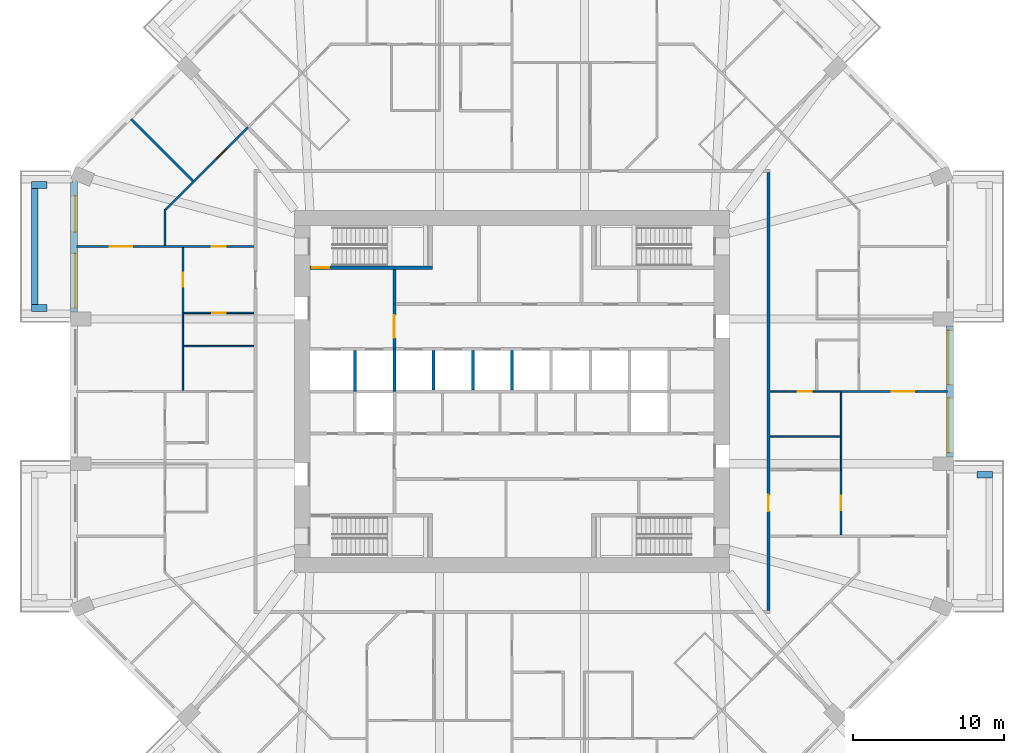
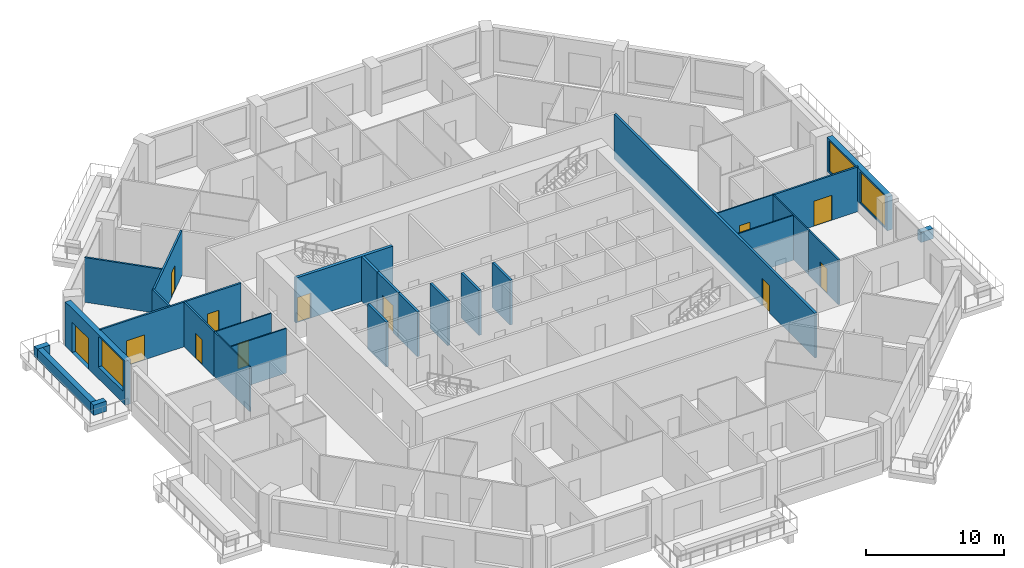
# One storey, part 7 of 13: 28 walls, 12 doors, 3 windows, 15 openings.
"""IFC4 building model written with IfcOpenShell, lengths in metres."""

from ifc_helpers import new_model, si_unit, direction, frame, frame_2d, origin, place, context, subcontext, project, spatial, rectangle, extrude, material, layer, layer_set, type_object, element, fill, save


model = new_model("IFC4")

# Units and contexts
model_context = context("Model", 3, precision=1e-05, world=origin(), true_north=direction((0.0, 1.0)))
body_context = subcontext(model_context, "Body", "Model", "MODEL_VIEW")
ifc_project = project(units=[si_unit("LENGTHUNIT", "METRE"), si_unit("AREAUNIT", "SQUARE_METRE"), si_unit("VOLUMEUNIT", "CUBIC_METRE"), si_unit("PLANEANGLEUNIT", "RADIAN"), si_unit("MASSUNIT", "GRAM", prefix="KILO")], contexts=[model_context])

# Site, building, storey
site_placement = place(None, origin())
site = spatial("IfcSite", under=ifc_project, at=site_placement, CompositionType="ELEMENT")
building_placement = place(site_placement, origin())
building = spatial("IfcBuilding", under=site, at=building_placement, Name="Msitu Wima Residences", CompositionType="ELEMENT")
storey_placement = place(building_placement, frame((0.0, 0.0, 25.5)))
storey = spatial("IfcBuildingStorey", under=building, at=storey_placement, Name="L05", CompositionType="ELEMENT", Elevation=25.5)

# Walls
ifc_material_1 = material(Name="Facing brick")
ifc_layer_1 = layer(ifc_material_1, 0.06494140625, Name="Facing brick")
ifc_material_2 = material(Name="Concrete C40/50", Category="concrete")
ifc_layer_2 = layer(ifc_material_2, 0.156005859375, Name="Concrete C40/50")
ifc_material_3 = material(Name="Waterproofing membrane")
ifc_layer_3 = layer(ifc_material_3, 0.00390625, Name="Waterproofing membrane")
ifc_material_4 = material(Name="Planting soil and planting")
ifc_layer_4 = layer(ifc_material_4, 0.22509765625, Name="Planting soil and planting")
ifc_layer_set_1 = layer_set([ifc_layer_1, ifc_layer_2, ifc_layer_3, ifc_layer_4], Name="Concrete C40/50")
wall_type_1 = type_object("IfcWallType", Name="Balcony planter PLANTER PL450", PredefinedType="USERDEFINED", material=ifc_layer_set_1)
wall_1_placement = place(storey_placement, frame((30.800048828125, -5.52490234375, 0.0), z_axis=(0.0, 0.0, 1.0), x_axis=(1.0, 0.0, 0.0)))
element("IfcWall", 1, at=wall_1_placement, inside=storey, type_object=wall_type_1, Name="Balcony planter E0 L05", ObjectType="PLANTER", PredefinedType="USERDEFINED", context=body_context, shape_type="SweptSolid", body=[
    extrude(rectangle(XDim=1.050048828125, YDim=0.449951171875, at=frame_2d((0.52490234375, 0.0))), origin(), (0.0, 0.0, 1.0), 0.89990234375),
])
wall_2_placement = place(storey_placement, frame((-31.625, 13.449951171875, 0.0), z_axis=(0.0, 0.0, 1.0), x_axis=(0.0, -1.0, 0.0)))
element("IfcWall", 2, at=wall_2_placement, inside=storey, type_object=wall_type_1, Name="Balcony planter W0 L05", ObjectType="PLANTER", PredefinedType="USERDEFINED", context=body_context, shape_type="SweptSolid", body=[
    extrude(rectangle(XDim=7.699951171875, YDim=0.449951171875, at=frame_2d((3.85009765625, 0.0))), origin(), (0.0, 0.0, 1.0), 0.89990234375),
])
for number, where, z_axis, x_axis, name in (
    (3, (-30.800048828125, 13.675048828125, 0.0), (0.0, 0.0, 1.0), (-1.0, 0.0, 0.0), "Balcony planter W0 L05"),
    (4, (-30.800048828125, 5.52490234375, 0.0), (0.0, 0.0, 1.0), (-1.0, 0.0, 0.0), "Balcony planter W0 L05"),
):
    element("IfcWall", number, at=place(storey_placement, frame(where, z_axis=z_axis, x_axis=x_axis)), inside=storey, type_object=wall_type_1, Name=name, ObjectType="PLANTER", PredefinedType="USERDEFINED", context=body_context, shape_type="SweptSolid", body=[
        extrude(rectangle(XDim=1.050048828125, YDim=0.449951171875, at=frame_2d((0.52490234375, 0.0))), origin(), (0.0, 0.0, 1.0), 0.89990234375),
    ])

# Wall, openings, windows
ifc_material_5 = material(Name="Brick (red buff mix)", Category="masonry")
ifc_layer_5 = layer(ifc_material_5, 0.449951171875)
ifc_layer_set_2 = layer_set([ifc_layer_5], Name="Brick (red buff mix)")
wall_type_2 = type_object("IfcWallType", Name="Brick infill wall BW450", PredefinedType="SOLIDWALL", material=ifc_layer_set_2)
wall_3_placement = place(storey_placement, frame((29.02490234375, -4.35009765625, 0.89990234375), z_axis=(0.0, 0.0, 1.0), x_axis=(0.0, 1.0, 0.0)))
wall_3 = element("IfcWall", 5, at=wall_3_placement, inside=storey, type_object=wall_type_2, Name="Brick infill wall L05 E1", PredefinedType="SOLIDWALL", context=body_context, shape_type="SweptSolid", body=[
    extrude(rectangle(XDim=8.7001953125, YDim=0.449951171875, at=frame_2d((4.35009765625, 0.0))), origin(), (0.0, 0.0, 1.0), 3.0),
])
opening_1_placement = place(wall_3_placement, frame((0.300048828125, 0.0, 0.14990234375)))
opening_1 = element("IfcOpeningElement", 6, at=opening_1_placement, cuts=wall_3, Name="Opening W05-07.002", PredefinedType="OPENING", context=body_context, shape_type="SweptSolid", body=[
    extrude(rectangle(XDim=3.60009765625, YDim=2.699951171875, at=frame_2d((1.800048828125, 1.35009765625))), frame((0.0, 0.23486328125, 0.0), z_axis=(0.0, -1.0, 0.0), x_axis=(1.0, 0.0, 0.0)), (0.0, 0.0, 1.0), 0.469970703125),
])
opening_2_placement = place(wall_3_placement, frame((4.800048828125, 0.0, 0.14990234375)))
opening_2 = element("IfcOpeningElement", 7, at=opening_2_placement, cuts=wall_3, Name="Opening W05-07.003", PredefinedType="OPENING", context=body_context, shape_type="SweptSolid", body=[
    extrude(rectangle(XDim=3.60009765625, YDim=2.699951171875, at=frame_2d((1.800048828125, 1.35009765625))), frame((0.0, 0.23486328125, 0.0), z_axis=(0.0, -1.0, 0.0), x_axis=(1.0, 0.0, 0.0)), (0.0, 0.0, 1.0), 0.469970703125),
])
ifc_material_6 = material(Name="Anodised aluminium, bronze finish, clear low-emissivity double glazing", Category="aluminium")
window_type = type_object("IfcWindowType", Name="Window W3600x2700", PartitioningType="DOUBLE_PANEL_VERTICAL", PredefinedType="WINDOW", material=ifc_material_6)
window_1_placement = place(opening_1_placement, origin())
window_1 = element("IfcWindow", 8, at=window_1_placement, inside=storey, type_object=window_type, Name="Window L05 E1.1", OverallHeight=2.699951171875, OverallWidth=3.60009765625, PartitioningType="SINGLE_PANEL", PredefinedType="WINDOW", context=body_context, shape_type="SweptSolid", body=[
    extrude(rectangle(XDim=3.60009765625, YDim=2.699951171875, at=frame_2d((1.800048828125, 1.35009765625))), frame((0.0, 0.135009765625, 0.0), z_axis=(0.0, -1.0, 0.0), x_axis=(1.0, 0.0, 0.0)), (0.0, 0.0, 1.0), 0.06005859375),
])
fill(opening_1, window_1)
window_2_placement = place(opening_2_placement, origin())
window_2 = element("IfcWindow", 9, at=window_2_placement, inside=storey, type_object=window_type, Name="Window L05 E1.2", OverallHeight=2.699951171875, OverallWidth=3.60009765625, PartitioningType="SINGLE_PANEL", PredefinedType="WINDOW", context=body_context, shape_type="SweptSolid", body=[
    extrude(rectangle(XDim=3.60009765625, YDim=2.699951171875, at=frame_2d((1.800048828125, 1.35009765625))), frame((0.0, 0.135009765625, 0.0), z_axis=(0.0, -1.0, 0.0), x_axis=(1.0, 0.0, 0.0)), (0.0, 0.0, 1.0), 0.06005859375),
])
fill(opening_2, window_2)

# Wall, openings, door, window
wall_4_placement = place(storey_placement, frame((-29.02490234375, 13.912841796875, 0.0), z_axis=(0.0, 0.0, 1.0), x_axis=(0.0, -1.0, 0.0)))
wall_4 = element("IfcWall", 10, at=wall_4_placement, inside=storey, type_object=wall_type_2, Name="Brick infill wall L05 W0", PredefinedType="SOLIDWALL", context=body_context, shape_type="SweptSolid", body=[
    extrude(rectangle(XDim=8.662841796875, YDim=0.449951171875, at=frame_2d((4.33154296875, 0.0))), origin(), (0.0, 0.0, 1.0), 3.89990234375),
])
opening_3_placement = place(wall_4_placement, frame((0.9658203125, 0.0, 0.0)))
opening_3 = element("IfcOpeningElement", 11, at=opening_3_placement, cuts=wall_4, Name="Opening D05-07.009", PredefinedType="OPENING", context=body_context, shape_type="SweptSolid", body=[
    extrude(rectangle(XDim=2.39990234375, YDim=2.699951171875, at=frame_2d((1.199951171875, 1.35009765625))), frame((0.0, 0.23486328125, 0.0), z_axis=(0.0, -1.0, 0.0), x_axis=(1.0, 0.0, 0.0)), (0.0, 0.0, 1.0), 0.469970703125),
])
opening_4_placement = place(wall_4_placement, frame((4.781494140625, 0.0, 1.050048828125)))
opening_4 = element("IfcOpeningElement", 12, at=opening_4_placement, cuts=wall_4, Name="Opening W05-07.027", PredefinedType="OPENING", context=body_context, shape_type="SweptSolid", body=[
    extrude(rectangle(XDim=3.60009765625, YDim=2.699951171875, at=frame_2d((1.800048828125, 1.35009765625))), frame((0.0, 0.23486328125, 0.0), z_axis=(0.0, -1.0, 0.0), x_axis=(1.0, 0.0, 0.0)), (0.0, 0.0, 1.0), 0.469970703125),
])
door_type_1 = type_object("IfcDoorType", Name="Balcony door D2400x2700", OperationType="SLIDING_TO_LEFT", PredefinedType="DOOR", material=ifc_material_6)
door_1_placement = place(opening_3_placement, origin())
door_1 = element("IfcDoor", 13, at=door_1_placement, inside=storey, type_object=door_type_1, Name="Balcony door L05 W0", OperationType="SINGLE_SWING_LEFT", OverallHeight=2.699951171875, OverallWidth=2.39990234375, PredefinedType="DOOR", context=body_context, shape_type="SweptSolid", body=[
    extrude(rectangle(XDim=2.39990234375, YDim=2.699951171875, at=frame_2d((1.199951171875, 1.35009765625))), frame((0.0, 0.1298828125, 0.0), z_axis=(0.0, -1.0, 0.0), x_axis=(1.0, 0.0, 0.0)), (0.0, 0.0, 1.0), 0.050048828125),
])
fill(opening_3, door_1)
window_3_placement = place(opening_4_placement, origin())
window_3 = element("IfcWindow", 14, at=window_3_placement, inside=storey, type_object=window_type, Name="Window L05 W0.2", OverallHeight=2.699951171875, OverallWidth=3.60009765625, PartitioningType="SINGLE_PANEL", PredefinedType="WINDOW", context=body_context, shape_type="SweptSolid", body=[
    extrude(rectangle(XDim=3.60009765625, YDim=2.699951171875, at=frame_2d((1.800048828125, 1.35009765625))), frame((0.0, 0.135009765625, 0.0), z_axis=(0.0, -1.0, 0.0), x_axis=(1.0, 0.0, 0.0)), (0.0, 0.0, 1.0), 0.06005859375),
])
fill(opening_4, window_3)

# Wall, opening, door
ifc_material_7 = material(Name="Plaster")
ifc_layer_6 = layer(ifc_material_7, 0.011962890625, Name="Plaster")
ifc_material_8 = material(Name="Concrete blockwork", Category="masonry")
ifc_layer_7 = layer(ifc_material_8, 0.176025390625, Name="Concrete blockwork")
ifc_layer_8 = layer(ifc_material_7, 0.011962890625, Name="Plaster")
ifc_layer_set_3 = layer_set([ifc_layer_6, ifc_layer_7, ifc_layer_8], Name="Concrete blockwork")
wall_type_3 = type_object("IfcWallType", Name="Corridor wall FW200", PredefinedType="PARTITIONING", material=ifc_layer_set_3)
wall_5_placement = place(storey_placement, frame((-7.800048828125, 2.800048828125, 0.0), z_axis=(0.0, 0.0, 1.0), x_axis=(0.0, 1.0, 0.0)))
wall_5 = element("IfcWall", 15, at=wall_5_placement, inside=storey, type_object=wall_type_3, Name="Corridor wall", PredefinedType="PARTITIONING", context=body_context, shape_type="SweptSolid", body=[
    extrude(rectangle(XDim=3.0, YDim=0.199951171875, at=frame_2d((1.5, 0.0))), origin(), (0.0, 0.0, 1.0), 3.949951171875),
])
opening_5_placement = place(wall_5_placement, frame((0.75, 0.0, 0.0)))
opening_5 = element("IfcOpeningElement", 16, at=opening_5_placement, cuts=wall_5, Name="Opening D05-07.017", PredefinedType="OPENING", context=body_context, shape_type="SweptSolid", body=[
    extrude(rectangle(XDim=1.5, YDim=2.39990234375, at=frame_2d((0.75, 1.199951171875))), frame((0.0, 0.10986328125, 0.0), z_axis=(0.0, -1.0, 0.0), x_axis=(1.0, 0.0, 0.0)), (0.0, 0.0, 1.0), 0.219970703125),
])
ifc_material_9 = material(Name="Steel framed glazed door, fire resisting", Category="steel")
door_type_2 = type_object("IfcDoorType", Name="Lobby door D07 1500x2400", OperationType="DOUBLE_DOOR_SINGLE_SWING", PredefinedType="DOOR", material=ifc_material_9)
door_2_placement = place(opening_5_placement, origin())
door_2 = element("IfcDoor", 17, at=door_2_placement, inside=storey, type_object=door_type_2, Name="Lobby door", OperationType="DOUBLE_DOOR_SINGLE_SWING", OverallHeight=2.39990234375, OverallWidth=1.5, PredefinedType="DOOR", context=body_context, shape_type="SweptSolid", body=[
    extrude(rectangle(XDim=1.5, YDim=2.39990234375, at=frame_2d((0.75, 1.199951171875))), frame((0.0, 0.02490234375, 0.0), z_axis=(0.0, -1.0, 0.0), x_axis=(1.0, 0.0, 0.0)), (0.0, 0.0, 1.0), 0.050048828125),
])
fill(opening_5, door_2)

wall_6_placement = place(storey_placement, frame((17.0, -14.5, 0.0), z_axis=(0.0, 0.0, 1.0), x_axis=(0.0, 1.0, 0.0)))
wall_6 = element("IfcWall", 18, at=wall_6_placement, inside=storey, type_object=wall_type_3, Name="Corridor wall", PredefinedType="PARTITIONING", context=body_context, shape_type="SweptSolid", body=[
    extrude(rectangle(XDim=29.0, YDim=0.199951171875, at=frame_2d((14.5, 0.0))), origin(), (0.0, 0.0, 1.0), 3.949951171875),
])
opening_6_placement = place(wall_6_placement, frame((6.550048828125, 0.0, 0.0)))
opening_6 = element("IfcOpeningElement", 19, at=opening_6_placement, cuts=wall_6, Name="Opening D05-07.011", PredefinedType="OPENING", context=body_context, shape_type="SweptSolid", body=[
    extrude(rectangle(XDim=1.10009765625, YDim=2.39990234375, at=frame_2d((0.550048828125, 1.199951171875))), frame((0.0, 0.10986328125, 0.0), z_axis=(0.0, -1.0, 0.0), x_axis=(1.0, 0.0, 0.0)), (0.0, 0.0, 1.0), 0.219970703125),
])
ifc_material_10 = material(Name="Timber flush door, fire resisting, self-closing", Category="wood")
door_type_3 = type_object("IfcDoorType", Name="Flat entrance door D01 1100x2400", OperationType="SINGLE_SWING_LEFT", PredefinedType="DOOR", material=ifc_material_10)
door_3_placement = place(opening_6_placement, origin())
door_3 = element("IfcDoor", 20, at=door_3_placement, inside=storey, type_object=door_type_3, Name="Flat entrance door", OperationType="SINGLE_SWING_RIGHT", OverallHeight=2.39990234375, OverallWidth=1.10009765625, PredefinedType="DOOR", context=body_context, shape_type="SweptSolid", body=[
    extrude(rectangle(XDim=1.10009765625, YDim=2.39990234375, at=frame_2d((0.550048828125, 1.199951171875))), frame((0.0, 0.02490234375, 0.0), z_axis=(0.0, -1.0, 0.0), x_axis=(1.0, 0.0, 0.0)), (0.0, 0.0, 1.0), 0.050048828125),
])
fill(opening_6, door_3)

# Wall, openings, doors
ifc_layer_9 = layer(ifc_material_7, 0.011962890625, Name="Plaster")
ifc_layer_10 = layer(ifc_material_8, 0.1259765625, Name="Concrete blockwork")
ifc_layer_11 = layer(ifc_material_7, 0.011962890625, Name="Plaster")
ifc_layer_set_4 = layer_set([ifc_layer_9, ifc_layer_10, ifc_layer_11], Name="Concrete blockwork")
wall_type_4 = type_object("IfcWallType", Name="Partition PW150", PredefinedType="PARTITIONING", material=ifc_layer_set_4)
wall_7_placement = place(storey_placement, frame((-28.85498046875, 9.60009765625, 0.0), z_axis=(0.0, 0.0, 1.0), x_axis=(1.0, 0.0, 0.0)))
wall_7 = element("IfcWall", 21, at=wall_7_placement, inside=storey, type_object=wall_type_4, Name="Partition", PredefinedType="PARTITIONING", context=body_context, shape_type="SweptSolid", body=[
    extrude(rectangle(XDim=11.7548828125, YDim=0.14990234375, at=frame_2d((5.87744140625, 0.0))), origin(), (0.0, 0.0, 1.0), 3.949951171875),
])
opening_7_placement = place(wall_7_placement, frame((8.949951171875, 0.0, 0.0)))
opening_7 = element("IfcOpeningElement", 22, at=opening_7_placement, cuts=wall_7, Name="Opening D05-07.063", PredefinedType="OPENING", context=body_context, shape_type="SweptSolid", body=[
    extrude(rectangle(XDim=0.949951171875, YDim=2.199951171875, at=frame_2d((0.47509765625, 1.10009765625))), frame((0.0, 0.0849609375, 0.0), z_axis=(0.0, -1.0, 0.0), x_axis=(1.0, 0.0, 0.0)), (0.0, 0.0, 1.0), 0.169921875),
])
opening_8_placement = place(wall_7_placement, frame((2.199951171875, 0.0, 0.0)))
opening_8 = element("IfcOpeningElement", 23, at=opening_8_placement, cuts=wall_7, Name="Opening D05-07.070", PredefinedType="OPENING", context=body_context, shape_type="SweptSolid", body=[
    extrude(rectangle(XDim=1.5, YDim=2.199951171875, at=frame_2d((0.75, 1.10009765625))), frame((0.0, 0.0849609375, 0.0), z_axis=(0.0, -1.0, 0.0), x_axis=(1.0, 0.0, 0.0)), (0.0, 0.0, 1.0), 0.169921875),
])
ifc_material_11 = material(Name="Timber double door", Category="wood")
door_type_4 = type_object("IfcDoorType", Name="Double door D04 1500x2200", OperationType="DOUBLE_DOOR_SINGLE_SWING", PredefinedType="DOOR", material=ifc_material_11)
door_4_placement = place(opening_8_placement, origin())
door_4 = element("IfcDoor", 24, at=door_4_placement, inside=storey, type_object=door_type_4, Name="Double door", OperationType="DOUBLE_DOOR_SINGLE_SWING", OverallHeight=2.199951171875, OverallWidth=1.5, PredefinedType="DOOR", context=body_context, shape_type="SweptSolid", body=[
    extrude(rectangle(XDim=1.5, YDim=2.199951171875, at=frame_2d((0.75, 1.10009765625))), frame((0.0, 0.02490234375, 0.0), z_axis=(0.0, -1.0, 0.0), x_axis=(1.0, 0.0, 0.0)), (0.0, 0.0, 1.0), 0.050048828125),
])
fill(opening_8, door_4)
ifc_material_12 = material(Name="Timber flush door", Category="wood")
door_type_5 = type_object("IfcDoorType", Name="Room door D12 950x2200", OperationType="SINGLE_SWING_LEFT", PredefinedType="DOOR", material=ifc_material_12)
door_5_placement = place(opening_7_placement, origin())
door_5 = element("IfcDoor", 25, at=door_5_placement, inside=storey, type_object=door_type_5, Name="Room door", OperationType="SINGLE_SWING_RIGHT", OverallHeight=2.199951171875, OverallWidth=0.949951171875, PredefinedType="DOOR", context=body_context, shape_type="SweptSolid", body=[
    extrude(rectangle(XDim=0.949951171875, YDim=2.199951171875, at=frame_2d((0.47509765625, 1.10009765625))), frame((0.0, 0.02490234375, 0.0), z_axis=(0.0, -1.0, 0.0), x_axis=(1.0, 0.0, 0.0)), (0.0, 0.0, 1.0), 0.050048828125),
])
fill(opening_7, door_5)

# Walls
wall_8_placement = place(storey_placement, frame((-25.23876953125, 18.038818359375, 0.0), z_axis=(0.0, 0.0, 1.0), x_axis=(0.707106781187, -0.707106781187, 0.0)))
element("IfcWall", 26, at=wall_8_placement, inside=storey, type_object=wall_type_4, Name="Partition", PredefinedType="PARTITIONING", context=body_context, shape_type="SweptSolid", body=[
    extrude(rectangle(XDim=5.77978515625, YDim=0.14990234375, at=frame_2d((2.889892578125, 0.0))), origin(), (0.0, 0.0, 1.0), 3.949951171875),
])
wall_9_placement = place(storey_placement, frame((-23.0, 9.675048828125, 0.0), z_axis=(0.0, 0.0, 1.0), x_axis=(0.0, 1.0, 0.0)))
element("IfcWall", 27, at=wall_9_placement, inside=storey, type_object=wall_type_4, Name="Partition", PredefinedType="PARTITIONING", context=body_context, shape_type="SweptSolid", body=[
    extrude(rectangle(XDim=2.3974609375, YDim=0.14990234375, at=frame_2d((1.19873046875, 0.0))), origin(), (0.0, 0.0, 1.0), 3.949951171875),
])

# Wall, opening, door
wall_10_placement = place(storey_placement, frame((-22.947021484375, 12.050537109375, 0.0), z_axis=(0.0, 0.0, 1.0), x_axis=(0.707106781187, 0.707106781187, 0.0)))
wall_10 = element("IfcWall", 28, at=wall_10_placement, inside=storey, type_object=wall_type_4, Name="Partition", PredefinedType="PARTITIONING", context=body_context, shape_type="SweptSolid", body=[
    extrude(rectangle(XDim=7.705078125, YDim=0.14990234375, at=frame_2d((3.8525390625, 0.0))), origin(), (0.0, 0.0, 1.0), 3.949951171875),
])
opening_9_placement = place(wall_10_placement, frame((4.75, 0.0, 0.0)))
opening_9 = element("IfcOpeningElement", 29, at=opening_9_placement, cuts=wall_10, Name="Opening D05-07.065", PredefinedType="OPENING", context=body_context, shape_type="SweptSolid", body=[
    extrude(rectangle(XDim=0.949951171875, YDim=2.199951171875, at=frame_2d((0.47509765625, 1.10009765625))), frame((0.0, 0.0849609375, 0.0), z_axis=(0.0, -1.0, 0.0), x_axis=(1.0, 0.0, 0.0)), (0.0, 0.0, 1.0), 0.169921875),
])
door_6_placement = place(opening_9_placement, origin())
door_6 = element("IfcDoor", 30, at=door_6_placement, inside=storey, type_object=door_type_5, Name="Room door", OperationType="SINGLE_SWING_RIGHT", OverallHeight=2.199951171875, OverallWidth=0.949951171875, PredefinedType="DOOR", context=body_context, shape_type="SweptSolid", body=[
    extrude(rectangle(XDim=0.949951171875, YDim=2.199951171875, at=frame_2d((0.47509765625, 1.10009765625))), frame((0.0, 0.02490234375, 0.0), z_axis=(0.0, -1.0, 0.0), x_axis=(1.0, 0.0, 0.0)), (0.0, 0.0, 1.0), 0.050048828125),
])
fill(opening_9, door_6)

wall_11_placement = place(storey_placement, frame((-21.800048828125, 5.219970703125, 0.0), z_axis=(0.0, 0.0, 1.0), x_axis=(0.0, 1.0, 0.0)))
wall_11 = element("IfcWall", 31, at=wall_11_placement, inside=storey, type_object=wall_type_4, Name="Partition", PredefinedType="PARTITIONING", context=body_context, shape_type="SweptSolid", body=[
    extrude(rectangle(XDim=4.304931640625, YDim=0.14990234375, at=frame_2d((2.15234375, 0.0))), origin(), (0.0, 0.0, 1.0), 3.949951171875),
])
opening_10_placement = place(wall_11_placement, frame((1.699951171875, 0.0, 0.0)))
opening_10 = element("IfcOpeningElement", 32, at=opening_10_placement, cuts=wall_11, Name="Opening D05-07.066", PredefinedType="OPENING", context=body_context, shape_type="SweptSolid", body=[
    extrude(rectangle(XDim=0.949951171875, YDim=2.199951171875, at=frame_2d((0.47509765625, 1.10009765625))), frame((0.0, 0.0849609375, 0.0), z_axis=(0.0, -1.0, 0.0), x_axis=(1.0, 0.0, 0.0)), (0.0, 0.0, 1.0), 0.169921875),
])
door_7_placement = place(opening_10_placement, origin())
door_7 = element("IfcDoor", 33, at=door_7_placement, inside=storey, type_object=door_type_5, Name="Room door", OperationType="SINGLE_SWING_RIGHT", OverallHeight=2.199951171875, OverallWidth=0.949951171875, PredefinedType="DOOR", context=body_context, shape_type="SweptSolid", body=[
    extrude(rectangle(XDim=0.949951171875, YDim=2.199951171875, at=frame_2d((0.47509765625, 1.10009765625))), frame((0.0, 0.02490234375, 0.0), z_axis=(0.0, -1.0, 0.0), x_axis=(1.0, 0.0, 0.0)), (0.0, 0.0, 1.0), 0.050048828125),
])
fill(opening_10, door_7)

wall_12_placement = place(storey_placement, frame((21.800048828125, -9.52490234375, 0.0), z_axis=(0.0, 0.0, 1.0), x_axis=(0.0, 1.0, 0.0)))
wall_12 = element("IfcWall", 34, at=wall_12_placement, inside=storey, type_object=wall_type_4, Name="Partition", PredefinedType="PARTITIONING", context=body_context, shape_type="SweptSolid", body=[
    extrude(rectangle(XDim=4.304931640625, YDim=0.14990234375, at=frame_2d((2.15234375, 0.0))), origin(), (0.0, 0.0, 1.0), 3.949951171875),
])
opening_11_placement = place(wall_12_placement, frame((1.64990234375, 0.0, 0.0)))
opening_11 = element("IfcOpeningElement", 35, at=opening_11_placement, cuts=wall_12, Name="Opening D05-07.053", PredefinedType="OPENING", context=body_context, shape_type="SweptSolid", body=[
    extrude(rectangle(XDim=0.949951171875, YDim=2.199951171875, at=frame_2d((0.47509765625, 1.10009765625))), frame((0.0, 0.0849609375, 0.0), z_axis=(0.0, -1.0, 0.0), x_axis=(1.0, 0.0, 0.0)), (0.0, 0.0, 1.0), 0.169921875),
])
door_8_placement = place(opening_11_placement, origin())
door_8 = element("IfcDoor", 36, at=door_8_placement, inside=storey, type_object=door_type_5, Name="Room door", OperationType="SINGLE_SWING_RIGHT", OverallHeight=2.199951171875, OverallWidth=0.949951171875, PredefinedType="DOOR", context=body_context, shape_type="SweptSolid", body=[
    extrude(rectangle(XDim=0.949951171875, YDim=2.199951171875, at=frame_2d((0.47509765625, 1.10009765625))), frame((0.0, 0.02490234375, 0.0), z_axis=(0.0, -1.0, 0.0), x_axis=(1.0, 0.0, 0.0)), (0.0, 0.0, 1.0), 0.050048828125),
])
fill(opening_11, door_8)

wall_13_placement = place(storey_placement, frame((21.800048828125, 0.0, 0.0), z_axis=(0.0, 0.0, 1.0), x_axis=(1.0, 0.0, 0.0)))
wall_13 = element("IfcWall", 37, at=wall_13_placement, inside=storey, type_object=wall_type_4, Name="Partition", PredefinedType="PARTITIONING", context=body_context, shape_type="SweptSolid", body=[
    extrude(rectangle(XDim=7.054931640625, YDim=0.14990234375, at=frame_2d((3.52734375, 0.0))), origin(), (0.0, 0.0, 1.0), 3.949951171875),
])
opening_12_placement = place(wall_13_placement, frame((3.35009765625, 0.0, 0.0)))
opening_12 = element("IfcOpeningElement", 38, at=opening_12_placement, cuts=wall_13, Name="Opening D05-07.075", PredefinedType="OPENING", context=body_context, shape_type="SweptSolid", body=[
    extrude(rectangle(XDim=1.5, YDim=2.199951171875, at=frame_2d((0.75, 1.10009765625))), frame((0.0, 0.0849609375, 0.0), z_axis=(0.0, -1.0, 0.0), x_axis=(1.0, 0.0, 0.0)), (0.0, 0.0, 1.0), 0.169921875),
])
door_9_placement = place(opening_12_placement, origin())
door_9 = element("IfcDoor", 39, at=door_9_placement, inside=storey, type_object=door_type_4, Name="Double door", OperationType="DOUBLE_DOOR_SINGLE_SWING", OverallHeight=2.199951171875, OverallWidth=1.5, PredefinedType="DOOR", context=body_context, shape_type="SweptSolid", body=[
    extrude(rectangle(XDim=1.5, YDim=2.199951171875, at=frame_2d((0.75, 1.10009765625))), frame((0.0, 0.02490234375, 0.0), z_axis=(0.0, -1.0, 0.0), x_axis=(1.0, 0.0, 0.0)), (0.0, 0.0, 1.0), 0.050048828125),
])
fill(opening_12, door_9)

# Walls
ifc_layer_12 = layer(ifc_material_7, 0.011962890625, Name="Plaster")
ifc_material_13 = material(Name="Reinforced concrete blockwork", Category="masonry")
ifc_layer_13 = layer(ifc_material_13, 0.176025390625, Name="Reinforced concrete blockwork")
ifc_layer_14 = layer(ifc_material_7, 0.011962890625, Name="Plaster")
ifc_layer_set_5 = layer_set([ifc_layer_12, ifc_layer_13, ifc_layer_14], Name="Reinforced concrete blockwork")
wall_type_5 = type_object("IfcWallType", Name="Plant and riser wall PL200", PredefinedType="PARTITIONING", material=ifc_layer_set_5)
wall_14_placement = place(storey_placement, frame((-7.800048828125, 5.800048828125, 0.0), z_axis=(0.0, 0.0, 1.0), x_axis=(0.0, 1.0, 0.0)))
element("IfcWall", 40, at=wall_14_placement, inside=storey, type_object=wall_type_5, Name="Plant and riser wall", PredefinedType="PARTITIONING", context=body_context, shape_type="SweptSolid", body=[
    extrude(rectangle(XDim=2.27490234375, YDim=0.199951171875, at=frame_2d((1.137451171875, 0.0))), origin(), (0.0, 0.0, 1.0), 3.949951171875),
])
ifc_material_14 = material(Name="Fire-rated board")
ifc_layer_15 = layer(ifc_material_14, 0.02490234375, Name="Fire-rated board")
ifc_material_15 = material(Name="Light-gauge stud framing with mineral wool")
ifc_layer_16 = layer(ifc_material_15, 0.14990234375, Name="Light-gauge stud framing with mineral wool")
ifc_layer_17 = layer(ifc_material_14, 0.02490234375, Name="Fire-rated board")
ifc_layer_set_6 = layer_set([ifc_layer_15, ifc_layer_16, ifc_layer_17], Name="Light-gauge stud framing with mineral wool")
wall_type_6 = type_object("IfcWallType", Name="Shaft wall SH200", PredefinedType="PARTITIONING", material=ifc_layer_set_6)
wall_15_placement = place(storey_placement, frame((-10.39990234375, 0.0, 0.0), z_axis=(0.0, 0.0, 1.0), x_axis=(0.0, 1.0, 0.0)))
element("IfcWall", 41, at=wall_15_placement, inside=storey, type_object=wall_type_6, Name="Shaft wall", PredefinedType="PARTITIONING", context=body_context, shape_type="SweptSolid", body=[
    extrude(rectangle(XDim=2.699951171875, YDim=0.199951171875, at=frame_2d((1.35009765625, 0.0))), origin(), (0.0, 0.0, 1.0), 3.949951171875),
])
wall_16_placement = place(storey_placement, frame((-7.800048828125, 0.0, 0.0), z_axis=(0.0, 0.0, 1.0), x_axis=(0.0, 1.0, 0.0)))
element("IfcWall", 42, at=wall_16_placement, inside=storey, type_object=wall_type_6, Name="Shaft wall", PredefinedType="PARTITIONING", context=body_context, shape_type="SweptSolid", body=[
    extrude(rectangle(XDim=2.800048828125, YDim=0.199951171875, at=frame_2d((1.39990234375, 0.0))), origin(), (0.0, 0.0, 1.0), 3.949951171875),
])
for number, where, z_axis, x_axis, name in (
    (43, (-5.199951171875, 0.10009765625, 0.0), (0.0, 0.0, 1.0), (0.0, 1.0, 0.0), "Shaft wall"),
    (44, (-2.60009765625, 0.10009765625, 0.0), (0.0, 0.0, 1.0), (0.0, 1.0, 0.0), "Shaft wall"),
    (45, (0.0, 0.10009765625, 0.0), (0.0, 0.0, 1.0), (0.0, 1.0, 0.0), "Shaft wall"),
):
    element("IfcWall", number, at=place(storey_placement, frame(where, z_axis=z_axis, x_axis=x_axis)), inside=storey, type_object=wall_type_6, Name=name, PredefinedType="PARTITIONING", context=body_context, shape_type="SweptSolid", body=[
        extrude(rectangle(XDim=2.599853515625, YDim=0.199951171875, at=frame_2d((1.2998046875, 0.0))), origin(), (0.0, 0.0, 1.0), 3.949951171875),
    ])

# Wall, opening, door
ifc_material_16 = material(Name="Concrete C50/60", Category="concrete")
ifc_layer_18 = layer(ifc_material_16, 0.25)
ifc_layer_set_7 = layer_set([ifc_layer_18], Name="Concrete C50/60")
wall_type_7 = type_object("IfcWallType", Name="Stair enclosure wall SW250", PredefinedType="SHEAR", material=ifc_layer_set_7)
wall_17_placement = place(storey_placement, frame((-13.3701171875, 8.199951171875, 0.0), z_axis=(0.0, 0.0, 1.0), x_axis=(1.0, 0.0, 0.0)))
wall_17 = element("IfcWall", 46, at=wall_17_placement, inside=storey, type_object=wall_type_7, Name="Stair enclosure wall", PredefinedType="SHEAR", context=body_context, shape_type="SweptSolid", body=[
    extrude(rectangle(XDim=8.09521484375, YDim=0.25, at=frame_2d((4.047607421875, 0.0))), origin(), (0.0, 0.0, 1.0), 3.949951171875),
])
opening_13_placement = place(wall_17_placement, frame((0.14990234375, 0.0, 0.0)))
opening_13 = element("IfcOpeningElement", 47, at=opening_13_placement, cuts=wall_17, Name="Opening D05-07.037", PredefinedType="OPENING", context=body_context, shape_type="SweptSolid", body=[
    extrude(rectangle(XDim=1.10009765625, YDim=2.199951171875, at=frame_2d((0.550048828125, 1.10009765625))), frame((0.0, 0.135009765625, 0.0), z_axis=(0.0, -1.0, 0.0), x_axis=(1.0, 0.0, 0.0)), (0.0, 0.0, 1.0), 0.27001953125),
])
ifc_material_17 = material(Name="Steel door, fire resisting, panic bar", Category="steel")
door_type_6 = type_object("IfcDoorType", Name="Stair door D06 1100x2200", OperationType="SINGLE_SWING_LEFT", PredefinedType="DOOR", material=ifc_material_17)
door_10_placement = place(opening_13_placement, origin())
door_10 = element("IfcDoor", 48, at=door_10_placement, inside=storey, type_object=door_type_6, Name="Stair door", OperationType="SINGLE_SWING_LEFT", OverallHeight=2.199951171875, OverallWidth=1.10009765625, PredefinedType="DOOR", context=body_context, shape_type="SweptSolid", body=[
    extrude(rectangle(XDim=1.10009765625, YDim=2.199951171875, at=frame_2d((0.550048828125, 1.10009765625))), frame((0.0, 0.02490234375, 0.0), z_axis=(0.0, -1.0, 0.0), x_axis=(1.0, 0.0, 0.0)), (0.0, 0.0, 1.0), 0.050048828125),
])
fill(opening_13, door_10)

# Walls
ifc_material_18 = material(Name="Ceramic tiles")
ifc_layer_19 = layer(ifc_material_18, 0.008056640625, Name="Ceramic tiles")
ifc_material_19 = material(Name="Moisture-resistant board")
ifc_layer_20 = layer(ifc_material_19, 0.012451171875, Name="Moisture-resistant board")
ifc_layer_21 = layer(ifc_material_15, 0.06689453125, Name="Light-gauge stud framing with mineral wool")
ifc_layer_22 = layer(ifc_material_19, 0.012451171875, Name="Moisture-resistant board")
ifc_layer_set_8 = layer_set([ifc_layer_19, ifc_layer_20, ifc_layer_21, ifc_layer_22], Name="Light-gauge stud framing with mineral wool")
wall_type_8 = type_object("IfcWallType", Name="Wet wall PW100", PredefinedType="PARTITIONING", material=ifc_layer_set_8)
wall_18_placement = place(storey_placement, frame((-21.800048828125, 0.074951171875, 0.0), z_axis=(0.0, 0.0, 1.0), x_axis=(0.0, 1.0, 0.0)))
element("IfcWall", 49, at=wall_18_placement, inside=storey, type_object=wall_type_8, Name="Wet wall", PredefinedType="PARTITIONING", context=body_context, shape_type="SweptSolid", body=[
    extrude(rectangle(XDim=5.14501953125, YDim=0.10009765625, at=frame_2d((2.572509765625, 0.0))), origin(), (0.0, 0.0, 1.0), 3.949951171875),
])
wall_19_placement = place(storey_placement, frame((-21.75, 3.0, 0.0), z_axis=(0.0, 0.0, 1.0), x_axis=(1.0, 0.0, 0.0)))
element("IfcWall", 50, at=wall_19_placement, inside=storey, type_object=wall_type_8, Name="Wet wall", PredefinedType="PARTITIONING", context=body_context, shape_type="SweptSolid", body=[
    extrude(rectangle(XDim=4.64990234375, YDim=0.10009765625, at=frame_2d((2.324951171875, 0.0))), origin(), (0.0, 0.0, 1.0), 3.949951171875),
])

# Wall, opening, door
wall_20_placement = place(storey_placement, frame((-21.72509765625, 5.199951171875, 0.0), z_axis=(0.0, 0.0, 1.0), x_axis=(1.0, 0.0, 0.0)))
wall_20 = element("IfcWall", 51, at=wall_20_placement, inside=storey, type_object=wall_type_8, Name="Wet wall", PredefinedType="PARTITIONING", context=body_context, shape_type="SweptSolid", body=[
    extrude(rectangle(XDim=4.625, YDim=0.10009765625, at=frame_2d((2.3125, 0.0))), origin(), (0.0, 0.0, 1.0), 3.949951171875),
])
opening_14_placement = place(wall_20_placement, frame((1.85009765625, 0.0, 0.0)))
opening_14 = element("IfcOpeningElement", 52, at=opening_14_placement, cuts=wall_20, Name="Opening D05-07.068", PredefinedType="OPENING", context=body_context, shape_type="SweptSolid", body=[
    extrude(rectangle(XDim=0.89990234375, YDim=2.199951171875, at=frame_2d((0.449951171875, 1.10009765625))), frame((0.0, 0.06005859375, 0.0), z_axis=(0.0, -1.0, 0.0), x_axis=(1.0, 0.0, 0.0)), (0.0, 0.0, 1.0), 0.1201171875),
])
ifc_material_20 = material(Name="Timber flush door, moisture resistant", Category="wood")
door_type_7 = type_object("IfcDoorType", Name="Bathroom door D03 900x2200", OperationType="SINGLE_SWING_LEFT", PredefinedType="DOOR", material=ifc_material_20)
door_11_placement = place(opening_14_placement, origin())
door_11 = element("IfcDoor", 53, at=door_11_placement, inside=storey, type_object=door_type_7, Name="Bathroom door", OperationType="SINGLE_SWING_RIGHT", OverallHeight=2.199951171875, OverallWidth=0.89990234375, PredefinedType="DOOR", context=body_context, shape_type="SweptSolid", body=[
    extrude(rectangle(XDim=0.89990234375, YDim=2.199951171875, at=frame_2d((0.449951171875, 1.10009765625))), frame((0.0, 0.02490234375, 0.0), z_axis=(0.0, -1.0, 0.0), x_axis=(1.0, 0.0, 0.0)), (0.0, 0.0, 1.0), 0.050048828125),
])
fill(opening_14, door_11)

# Wall
wall_21_placement = place(storey_placement, frame((17.10009765625, -3.0, 0.0), z_axis=(0.0, 0.0, 1.0), x_axis=(1.0, 0.0, 0.0)))
element("IfcWall", 54, at=wall_21_placement, inside=storey, type_object=wall_type_8, Name="Wet wall", PredefinedType="PARTITIONING", context=body_context, shape_type="SweptSolid", body=[
    extrude(rectangle(XDim=4.64990234375, YDim=0.10009765625, at=frame_2d((2.324951171875, 0.0))), origin(), (0.0, 0.0, 1.0), 3.949951171875),
])

# Wall, opening, door
wall_22_placement = place(storey_placement, frame((17.10009765625, 0.0, 0.0), z_axis=(0.0, 0.0, 1.0), x_axis=(1.0, 0.0, 0.0)))
wall_22 = element("IfcWall", 55, at=wall_22_placement, inside=storey, type_object=wall_type_8, Name="Wet wall", PredefinedType="PARTITIONING", context=body_context, shape_type="SweptSolid", body=[
    extrude(rectangle(XDim=4.699951171875, YDim=0.10009765625, at=frame_2d((2.35009765625, 0.0))), origin(), (0.0, 0.0, 1.0), 3.949951171875),
])
opening_15_placement = place(wall_22_placement, frame((1.85009765625, 0.0, 0.0)))
opening_15 = element("IfcOpeningElement", 56, at=opening_15_placement, cuts=wall_22, Name="Opening D05-07.045", PredefinedType="OPENING", context=body_context, shape_type="SweptSolid", body=[
    extrude(rectangle(XDim=0.89990234375, YDim=2.199951171875, at=frame_2d((0.449951171875, 1.10009765625))), frame((0.0, 0.06005859375, 0.0), z_axis=(0.0, -1.0, 0.0), x_axis=(1.0, 0.0, 0.0)), (0.0, 0.0, 1.0), 0.1201171875),
])
door_12_placement = place(opening_15_placement, origin())
door_12 = element("IfcDoor", 57, at=door_12_placement, inside=storey, type_object=door_type_7, Name="Bathroom door", OperationType="SINGLE_SWING_RIGHT", OverallHeight=2.199951171875, OverallWidth=0.89990234375, PredefinedType="DOOR", context=body_context, shape_type="SweptSolid", body=[
    extrude(rectangle(XDim=0.89990234375, YDim=2.199951171875, at=frame_2d((0.449951171875, 1.10009765625))), frame((0.0, 0.02490234375, 0.0), z_axis=(0.0, -1.0, 0.0), x_axis=(1.0, 0.0, 0.0)), (0.0, 0.0, 1.0), 0.050048828125),
])
fill(opening_15, door_12)

# Wall
wall_23_placement = place(storey_placement, frame((21.800048828125, -5.219970703125, 0.0), z_axis=(0.0, 0.0, 1.0), x_axis=(0.0, 1.0, 0.0)))
element("IfcWall", 58, at=wall_23_placement, inside=storey, type_object=wall_type_8, Name="Wet wall", PredefinedType="PARTITIONING", context=body_context, shape_type="SweptSolid", body=[
    extrude(rectangle(XDim=5.169921875, YDim=0.10009765625, at=frame_2d((2.5849609375, 0.0))), origin(), (0.0, 0.0, 1.0), 3.949951171875),
])

save(model, "model.ifc")
